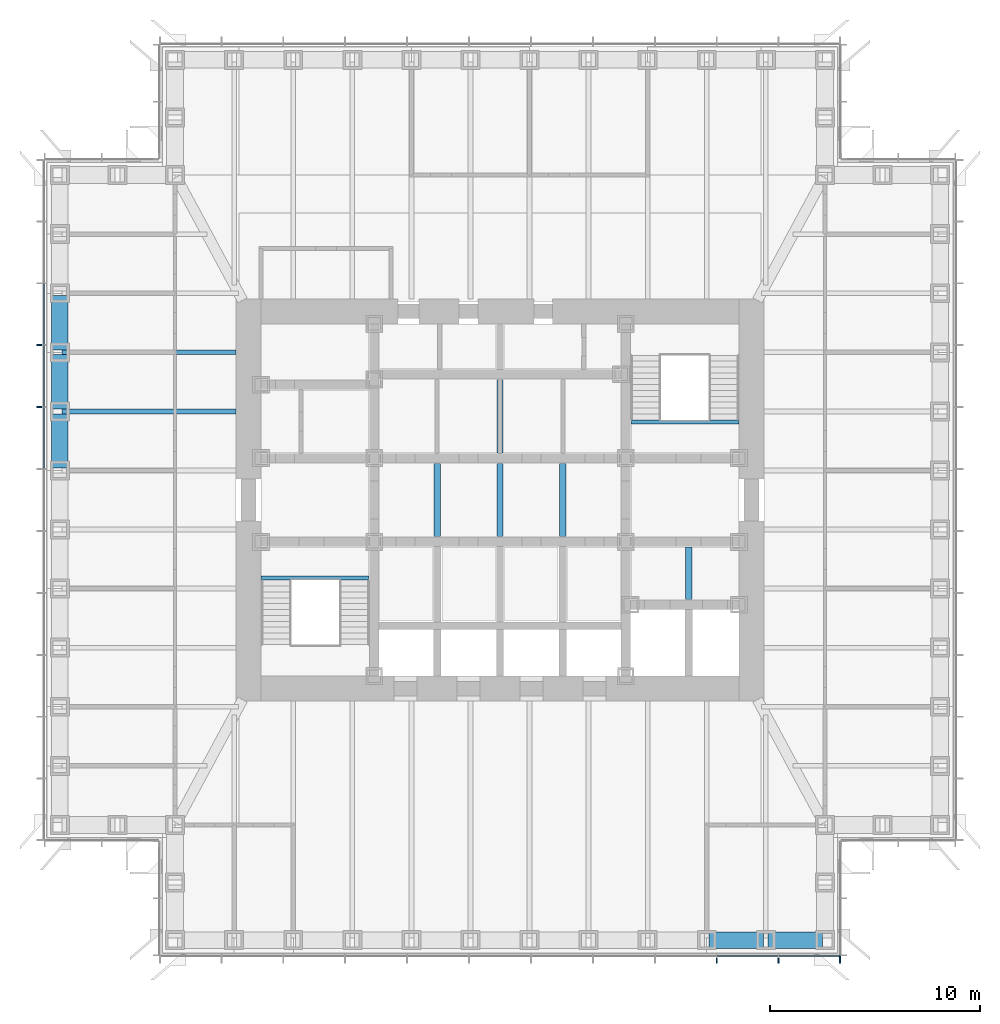
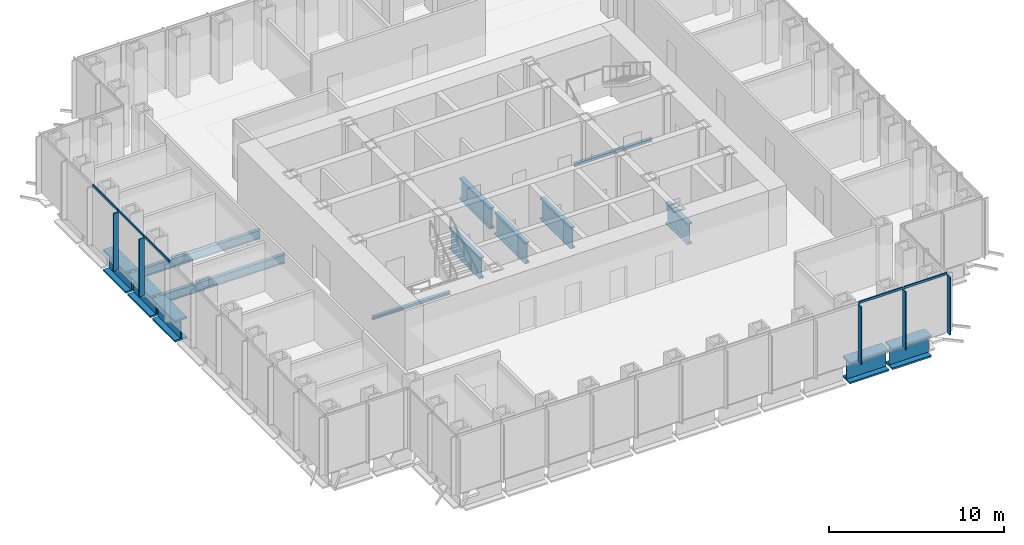
# One storey, part 3 of 17: 14 beams, 10 members, 2 elements without a shape of their own.
"""IFC4 building model written with IfcOpenShell, lengths in metres."""

from ifc_helpers import new_model, si_unit, direction, frame, origin, origin_2d, place, context, subcontext, project, spatial, rectangle, i_section, extrude, material, material_profile, profile_set, type_object, element, aggregate, save


model = new_model("IFC4")

# Units and contexts
model_context = context("Model", 3, precision=1e-05, world=origin(), true_north=direction((0.0, 1.0)))
body_context = subcontext(model_context, "Body", "Model", "MODEL_VIEW")
ifc_project = project(units=[si_unit("LENGTHUNIT", "METRE"), si_unit("AREAUNIT", "SQUARE_METRE"), si_unit("VOLUMEUNIT", "CUBIC_METRE"), si_unit("PLANEANGLEUNIT", "RADIAN"), si_unit("MASSUNIT", "GRAM", prefix="KILO")], contexts=[model_context])

# Site, building, storey
site_placement = place(None, origin())
site = spatial("IfcSite", under=ifc_project, at=site_placement, CompositionType="ELEMENT")
building_placement = place(site_placement, origin())
building = spatial("IfcBuilding", under=site, at=building_placement, Name="Daluyong Arena Tower", CompositionType="ELEMENT")
storey_placement = place(building_placement, frame((0.0, 0.0, 185.5)))
storey = spatial("IfcBuildingStorey", under=building, at=storey_placement, Name="L41", CompositionType="ELEMENT", Elevation=185.5)

# Curtain wall, members
ifc_material_1 = material(Name="Bronze anodised aluminium and glass", Category="aluminium")
curtain_wall_type = type_object("IfcCurtainWallType", Name="Curtain wall CW3", PredefinedType="USERDEFINED", material=ifc_material_1)
curtain_wall_1_placement = place(storey_placement, origin())
curtain_wall_1 = element("IfcCurtainWall", 1, at=curtain_wall_1_placement, inside=storey, type_object=curtain_wall_type, Name="curtain wall L41 S", ObjectType="UNITISED CURTAIN WALL", PredefinedType="USERDEFINED")
ifc_material_2 = material(Name="Bronze anodised aluminium fin", Category="aluminium")
ifc_material_profile_1 = material_profile(ifc_material_2, rectangle(XDim=0.35009765625, YDim=0.070068359375, at=origin_2d()))
ifc_profile_set_1 = profile_set([ifc_material_profile_1], Name="Bronze anodised aluminium fin")
member_type_1 = type_object("IfcMemberType", Name="CW3 bronze fin 350x70", PredefinedType="MULLION", material=ifc_profile_set_1)
member_1_placement = place(storey_placement, frame((66.3408203125, 58.074951171875, 0.0), z_axis=(0.0, 0.0, 1.0), x_axis=(0.0, 1.0, 0.0)))
member_1 = element("IfcMember", 2, at=member_1_placement, type_object=member_type_1, Name="curtain wall L41 S fin 10", PredefinedType="MULLION", context=body_context, shape_type="SweptSolid", body=[
    extrude(rectangle(XDim=0.35009765625, YDim=0.070068359375, at=origin_2d()), origin(), (0.0, 0.0, 1.0), 4.0400390625),
])
member_2_placement = place(storey_placement, frame((69.29541015625, 58.074951171875, 0.0), z_axis=(0.0, 0.0, 1.0), x_axis=(0.0, 1.0, 0.0)))
member_2 = element("IfcMember", 3, at=member_2_placement, type_object=member_type_1, Name="curtain wall L41 S fin 11", PredefinedType="MULLION", context=body_context, shape_type="SweptSolid", body=[
    extrude(rectangle(XDim=0.35009765625, YDim=0.070068359375, at=origin_2d()), origin(), (0.0, 0.0, 1.0), 4.0400390625),
])
member_3_placement = place(storey_placement, frame((72.215087890625, 58.074951171875, 0.0), z_axis=(0.0, 0.0, 1.0), x_axis=(0.0, 1.0, 0.0)))
member_3 = element("IfcMember", 4, at=member_3_placement, type_object=member_type_1, Name="curtain wall L41 S fin 12", PredefinedType="MULLION", context=body_context, shape_type="SweptSolid", body=[
    extrude(rectangle(XDim=0.35009765625, YDim=0.070068359375, at=origin_2d()), origin(), (0.0, 0.0, 1.0), 4.0400390625),
])

curtain_wall_2_placement = place(storey_placement, origin())
curtain_wall_2 = element("IfcCurtainWall", 5, at=curtain_wall_2_placement, inside=storey, type_object=curtain_wall_type, Name="curtain wall L41 W", ObjectType="UNITISED CURTAIN WALL", PredefinedType="USERDEFINED")
member_4_placement = place(storey_placement, frame((34.074951171875, 87.386474609375, 0.0), z_axis=(0.0, 0.0, 1.0), x_axis=(1.0, 0.0, 0.0)))
member_4 = element("IfcMember", 6, at=member_4_placement, type_object=member_type_1, Name="curtain wall L41 W fin 4", PredefinedType="MULLION", context=body_context, shape_type="SweptSolid", body=[
    extrude(rectangle(XDim=0.35009765625, YDim=0.070068359375, at=origin_2d()), origin(), (0.0, 0.0, 1.0), 4.0400390625),
])
member_5_placement = place(storey_placement, frame((34.074951171875, 84.431884765625, 0.0), z_axis=(0.0, 0.0, 1.0), x_axis=(1.0, 0.0, 0.0)))
member_5 = element("IfcMember", 7, at=member_5_placement, type_object=member_type_1, Name="curtain wall L41 W fin 5", PredefinedType="MULLION", context=body_context, shape_type="SweptSolid", body=[
    extrude(rectangle(XDim=0.35009765625, YDim=0.070068359375, at=origin_2d()), origin(), (0.0, 0.0, 1.0), 4.0400390625),
])

# Member
ifc_material_3 = material(Name="Bronze anodised aluminium", Category="aluminium")
ifc_material_profile_2 = material_profile(ifc_material_3, rectangle(XDim=0.070068359375, YDim=0.159912109375, at=origin_2d()))
ifc_profile_set_2 = profile_set([ifc_material_profile_2], Name="Bronze anodised aluminium")
member_type_2 = type_object("IfcMemberType", Name="CW3 stack transom 160x70", PredefinedType="USERDEFINED", material=ifc_profile_set_2)
member_6_placement = place(storey_placement, frame((66.3759765625, 58.25, 4.1201171875), z_axis=(1.0, 0.0, 0.0), x_axis=(0.0, 1.0, 0.0)))
member_6 = element("IfcMember", 8, at=member_6_placement, type_object=member_type_2, Name="curtain wall L41 S transom 10", ObjectType="TRANSOM", PredefinedType="USERDEFINED", context=body_context, shape_type="SweptSolid", body=[
    extrude(rectangle(XDim=0.070068359375, YDim=0.159912109375, at=origin_2d()), origin(), (0.0, 0.0, 1.0), 2.884521484375),
])

member_7_placement = place(storey_placement, frame((69.33056640625, 58.25, 4.1201171875), z_axis=(1.0, 0.0, 0.0), x_axis=(0.0, 1.0, 0.0)))
member_7 = element("IfcMember", 9, at=member_7_placement, type_object=member_type_2, Name="curtain wall L41 S transom 11", ObjectType="TRANSOM", PredefinedType="USERDEFINED", context=body_context, shape_type="SweptSolid", body=[
    extrude(rectangle(XDim=0.070068359375, YDim=0.159912109375, at=origin_2d()), origin(), (0.0, 0.0, 1.0), 2.849365234375),
])

aggregate(curtain_wall_1, [member_1, member_2, member_3, member_6, member_7])

member_8_placement = place(storey_placement, frame((34.25, 90.305908203125, 4.1201171875), z_axis=(0.0, -1.0, 0.0), x_axis=(1.0, 0.0, 0.0)))
member_8 = element("IfcMember", 10, at=member_8_placement, type_object=member_type_2, Name="curtain wall L41 W transom 3", ObjectType="TRANSOM", PredefinedType="USERDEFINED", context=body_context, shape_type="SweptSolid", body=[
    extrude(rectangle(XDim=0.070068359375, YDim=0.159912109375, at=origin_2d()), origin(), (0.0, 0.0, 1.0), 2.884521484375),
])

member_9_placement = place(storey_placement, frame((34.25, 87.351318359375, 4.1201171875), z_axis=(0.0, -1.0, 0.0), x_axis=(1.0, 0.0, 0.0)))
member_9 = element("IfcMember", 11, at=member_9_placement, type_object=member_type_2, Name="curtain wall L41 W transom 4", ObjectType="TRANSOM", PredefinedType="USERDEFINED", context=body_context, shape_type="SweptSolid", body=[
    extrude(rectangle(XDim=0.070068359375, YDim=0.159912109375, at=origin_2d()), origin(), (0.0, 0.0, 1.0), 2.884521484375),
])

member_10_placement = place(storey_placement, frame((34.25, 84.396728515625, 4.1201171875), z_axis=(0.0, -1.0, 0.0), x_axis=(1.0, 0.0, 0.0)))
member_10 = element("IfcMember", 12, at=member_10_placement, type_object=member_type_2, Name="curtain wall L41 W transom 5", ObjectType="TRANSOM", PredefinedType="USERDEFINED", context=body_context, shape_type="SweptSolid", body=[
    extrude(rectangle(XDim=0.070068359375, YDim=0.159912109375, at=origin_2d()), origin(), (0.0, 0.0, 1.0), 2.884521484375),
])

aggregate(curtain_wall_2, [member_4, member_5, member_8, member_9, member_10])

# Beams
ifc_material_4 = material(Name="Steel ASTM A992 Grade 50", Category="steel")
ifc_material_profile_3 = material_profile(ifc_material_4, i_section(OverallWidth=0.22900390625, OverallDepth=0.612060546875, WebThickness=0.011962890625, FlangeThickness=0.01953125, at=origin_2d()))
ifc_profile_set_3 = profile_set([ifc_material_profile_3], Name="Steel ASTM A992 Grade 50")
beam_type_1 = type_object("IfcBeamType", Name="Floor beam W24X84", PredefinedType="BEAM", material=ifc_profile_set_3)
for number, where, z_axis, x_axis, name in (
    (13, (35.114990234375, 87.04541015625, -0.466064453125), (1.0, 0.0, 0.0), (0.0, 1.0, 0.0), "floor beam FB3"),
    (14, (35.114990234375, 84.227294921875, -0.466064453125), (1.0, 0.0, 0.0), (0.0, 1.0, 0.0), "floor beam FB3"),
):
    element("IfcBeam", number, at=place(storey_placement, frame(where, z_axis=z_axis, x_axis=x_axis)), inside=storey, type_object=beam_type_1, Name=name, PredefinedType="BEAM", context=body_context, shape_type="SweptSolid", body=[
        extrude(i_section(OverallWidth=0.22900390625, OverallDepth=0.612060546875, WebThickness=0.011962890625, FlangeThickness=0.01953125, at=origin_2d()), origin(), (0.0, 0.0, 1.0), 8.284912109375),
    ])
ifc_material_5 = material(Name="Steel ASTM A572 Grade 50", Category="steel")
ifc_material_profile_4 = material_profile(ifc_material_5, i_section(OverallWidth=0.300048828125, OverallDepth=1.5, WebThickness=0.04, FlangeThickness=0.1, at=origin_2d()))
ifc_profile_set_4 = profile_set([ifc_material_profile_4], Name="Steel ASTM A572 Grade 50")
beam_type_2 = type_object("IfcBeamType", Name="Lift divider beam PG1500X300", PredefinedType="BEAM", material=ifc_profile_set_4)
for number, where, z_axis, x_axis, name in (
    (15, (53.0, 78.25, -0.909912109375), (0.0, 1.0, 0.0), (-1.0, 0.0, 0.0), "lift divider beam DB2"),
    (16, (56.0, 78.25, -0.909912109375), (0.0, 1.0, 0.0), (-1.0, 0.0, 0.0), "lift divider beam DB2"),
    (17, (56.0, 82.25, -0.909912109375), (0.0, 1.0, 0.0), (-1.0, 0.0, 0.0), "lift divider beam DB2"),
    (18, (59.0, 78.25, -0.909912109375), (0.0, 1.0, 0.0), (-1.0, 0.0, 0.0), "lift divider beam DB2"),
):
    element("IfcBeam", number, at=place(storey_placement, frame(where, z_axis=z_axis, x_axis=x_axis)), inside=storey, type_object=beam_type_2, Name=name, PredefinedType="BEAM", context=body_context, shape_type="SweptSolid", body=[
        extrude(i_section(OverallWidth=0.300048828125, OverallDepth=1.5, WebThickness=0.04, FlangeThickness=0.1, at=origin_2d()), origin(), (0.0, 0.0, 1.0), 3.5),
    ])
beam_1_placement = place(storey_placement, frame((65.0, 75.25, -0.909912109375), z_axis=(0.0, 1.0, 0.0), x_axis=(-1.0, 0.0, 0.0)))
element("IfcBeam", 19, at=beam_1_placement, inside=storey, type_object=beam_type_2, Name="lift divider beam DB2", PredefinedType="BEAM", context=body_context, shape_type="SweptSolid", body=[
    extrude(i_section(OverallWidth=0.300048828125, OverallDepth=1.5, WebThickness=0.04, FlangeThickness=0.1, at=origin_2d()), origin(), (0.0, 0.0, 1.0), 2.5),
])
ifc_material_6 = material(Name="Steel ASTM A588 Grade 50", Category="steel")
ifc_material_profile_5 = material_profile(ifc_material_6, i_section(OverallWidth=0.800048828125, OverallDepth=1.5, WebThickness=0.05, FlangeThickness=0.12, at=origin_2d()))
ifc_profile_set_5 = profile_set([ifc_material_profile_5], Name="Steel ASTM A588 Grade 50")
beam_type_3 = type_object("IfcBeamType", Name="Spandrel Z3 PG1500X800", PredefinedType="SPANDREL", material=ifc_profile_set_5)
beam_2_placement = place(storey_placement, frame((65.978515625, 59.0, -0.909912109375), z_axis=(1.0, 0.0, 0.0), x_axis=(0.0, 1.0, 0.0)))
element("IfcBeam", 20, at=beam_2_placement, inside=storey, type_object=beam_type_3, Name="spandrel z3 SB7", PredefinedType="SPANDREL", context=body_context, shape_type="SweptSolid", body=[
    extrude(i_section(OverallWidth=0.800048828125, OverallDepth=1.5, WebThickness=0.05, FlangeThickness=0.12, at=origin_2d()), origin(), (0.0, 0.0, 1.0), 2.58837890625),
])
for number, where, z_axis, x_axis, name in (
    (21, (68.796875, 59.0, -0.909912109375), (1.0, 0.0, 0.0), (0.0, 1.0, 0.0), "spandrel z3 SB7"),
    (22, (35.0, 89.74853515625, -0.909912109375), (0.0, -1.0, 0.0), (1.0, 0.0, 0.0), "spandrel z3 SB7"),
    (23, (35.0, 86.930419921875, -0.909912109375), (0.0, -1.0, 0.0), (1.0, 0.0, 0.0), "spandrel z3 SB7"),
    (24, (35.0, 84.1123046875, -0.909912109375), (0.0, -1.0, 0.0), (1.0, 0.0, 0.0), "spandrel z3 SB7"),
):
    element("IfcBeam", number, at=place(storey_placement, frame(where, z_axis=z_axis, x_axis=x_axis)), inside=storey, type_object=beam_type_3, Name=name, PredefinedType="SPANDREL", context=body_context, shape_type="SweptSolid", body=[
        extrude(i_section(OverallWidth=0.800048828125, OverallDepth=1.5, WebThickness=0.05, FlangeThickness=0.12, at=origin_2d()), origin(), (0.0, 0.0, 1.0), 2.588134765625),
    ])
ifc_material_7 = material(Name="Steel ASTM A992 Grade 50", Category="steel")
ifc_material_profile_6 = material_profile(ifc_material_7, i_section(OverallWidth=0.203125, OverallDepth=0.203125, WebThickness=0.00732421875, FlangeThickness=0.010986328125, at=origin_2d()))
ifc_profile_set_6 = profile_set([ifc_material_profile_6], Name="Steel ASTM A992 Grade 50")
beam_type_4 = type_object("IfcBeamType", Name="Stair landing beam W8X31", PredefinedType="BEAM", material=ifc_profile_set_6)
for number, where, z_axis, x_axis, name in (
    (25, (44.60009765625, 76.276611328125, -0.26171875), (1.0, 0.0, 0.0), (0.0, 1.0, 0.0), "exit stair A landing beam"),
    (26, (62.25, 83.723388671875, -0.26171875), (1.0, 0.0, 0.0), (0.0, 1.0, 0.0), "exit stair B landing beam"),
):
    element("IfcBeam", number, at=place(storey_placement, frame(where, z_axis=z_axis, x_axis=x_axis)), inside=storey, type_object=beam_type_4, Name=name, PredefinedType="BEAM", context=body_context, shape_type="SweptSolid", body=[
        extrude(i_section(OverallWidth=0.203125, OverallDepth=0.203125, WebThickness=0.00732421875, FlangeThickness=0.010986328125, at=origin_2d()), origin(), (0.0, 0.0, 1.0), 5.14990234375),
    ])

save(model, "model.ifc")
